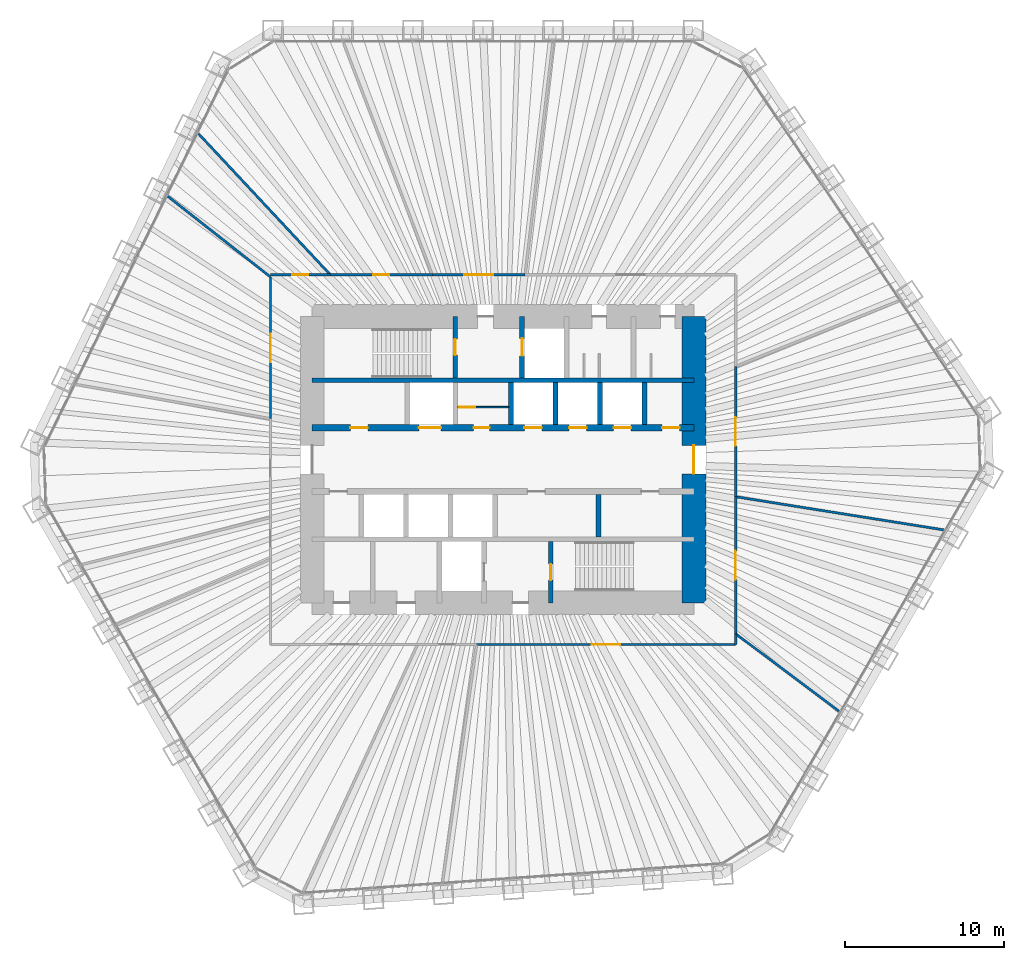
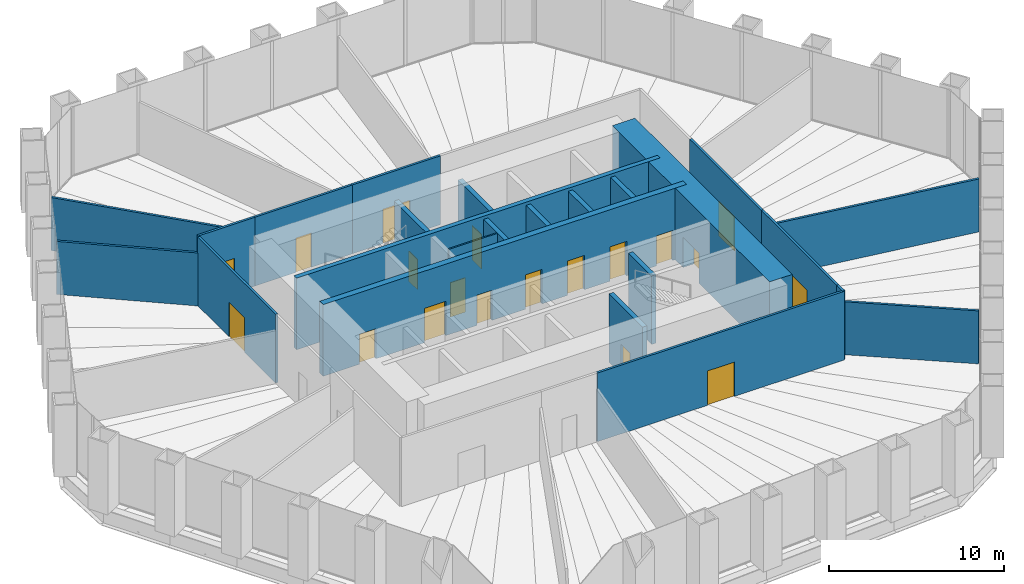
# One storey, part 11 of 13: 24 walls, 19 doors, 19 openings.
"""IFC4 building model written with IfcOpenShell, lengths in metres."""

from ifc_helpers import new_model, si_unit, direction, frame, frame_2d, origin, place, context, subcontext, project, spatial, rectangle, extrude, material, layer, layer_set, type_object, element, fill, save


model = new_model("IFC4")

# Units and contexts
model_context = context("Model", 3, precision=1e-05, world=origin(), true_north=direction((0.0, 1.0)))
body_context = subcontext(model_context, "Body", "Model", "MODEL_VIEW")
ifc_project = project(units=[si_unit("LENGTHUNIT", "METRE"), si_unit("AREAUNIT", "SQUARE_METRE"), si_unit("VOLUMEUNIT", "CUBIC_METRE"), si_unit("PLANEANGLEUNIT", "RADIAN"), si_unit("MASSUNIT", "GRAM", prefix="KILO")], contexts=[model_context])

# Site, building, storey
site_placement = place(None, origin())
site = spatial("IfcSite", under=ifc_project, at=site_placement, CompositionType="ELEMENT")
building_placement = place(site_placement, origin())
building = spatial("IfcBuilding", under=site, at=building_placement, Name="Qingtian Harvest Tower", CompositionType="ELEMENT")
storey_placement = place(building_placement, frame((0.0, 0.0, 37.0)))
storey = spatial("IfcBuildingStorey", under=building, at=storey_placement, Name="L07", CompositionType="ELEMENT", Elevation=37.0)

# Wall
ifc_material_1 = material(Name="Concrete fc' 70 MPa", Category="concrete")
ifc_layer_1 = layer(ifc_material_1, 0.300048828125)
ifc_layer_set_1 = layer_set([ifc_layer_1], Name="Core inner wall RC5 300")
wall_type_1 = type_object("IfcWallType", Name="Core inner wall RC5 300", PredefinedType="SHEAR", material=ifc_layer_set_1)
wall_1_placement = place(storey_placement, frame((-12.0, 5.0, 0.0), z_axis=(0.0, 0.0, 1.0), x_axis=(1.0, 0.0, 0.0)))
element("IfcWall", 1, at=wall_1_placement, inside=storey, type_object=wall_type_1, Name="Core wall IN5 L07", PredefinedType="SHEAR", context=body_context, shape_type="SweptSolid", body=[
    extrude(rectangle(XDim=24.0, YDim=0.300048828125, at=frame_2d((12.0, 0.0))), origin(), (0.0, 0.0, 1.0), 5.0),
])

# Wall, openings, doors
ifc_material_2 = material(Name="Concrete fc' 70 MPa", Category="concrete")
ifc_layer_2 = layer(ifc_material_2, 0.39990234375)
ifc_layer_set_2 = layer_set([ifc_layer_2], Name="Core inner web RC6 400")
wall_type_2 = type_object("IfcWallType", Name="Core inner web RC6 400", PredefinedType="SHEAR", material=ifc_layer_set_2)
wall_2_placement = place(storey_placement, frame((-12.0, 2.0, 0.0), z_axis=(0.0, 0.0, 1.0), x_axis=(1.0, 0.0, 0.0)))
wall_2 = element("IfcWall", 2, at=wall_2_placement, inside=storey, type_object=wall_type_2, Name="Core wall IN2 L07", PredefinedType="SHEAR", context=body_context, shape_type="SweptSolid", body=[
    extrude(rectangle(XDim=24.0, YDim=0.39990234375, at=frame_2d((12.0, 0.0))), origin(), (0.0, 0.0, 1.0), 5.0),
])
opening_1_placement = place(wall_2_placement, frame((2.39990234375, 0.0, 0.0)))
opening_1 = element("IfcOpeningElement", 3, at=opening_1_placement, cuts=wall_2, Name="Opening FD4", PredefinedType="OPENING", context=body_context, shape_type="SweptSolid", body=[
    extrude(rectangle(XDim=1.10009765625, YDim=2.10009765625, at=frame_2d((0.550048828125, 1.050048828125))), frame((0.0, 0.2099609375, 0.0), z_axis=(0.0, -1.0, 0.0), x_axis=(1.0, 0.0, 0.0)), (0.0, 0.0, 1.0), 0.419921875),
])
opening_2_placement = place(wall_2_placement, frame((22.0, 0.0, 0.0)))
opening_2 = element("IfcOpeningElement", 4, at=opening_2_placement, cuts=wall_2, Name="Opening FD4", PredefinedType="OPENING", context=body_context, shape_type="SweptSolid", body=[
    extrude(rectangle(XDim=1.10009765625, YDim=2.10009765625, at=frame_2d((0.550048828125, 1.050048828125))), frame((0.0, 0.2099609375, 0.0), z_axis=(0.0, -1.0, 0.0), x_axis=(1.0, 0.0, 0.0)), (0.0, 0.0, 1.0), 0.419921875),
])
opening_3_placement = place(wall_2_placement, frame((10.14990234375, 0.0, 0.0)))
opening_3 = element("IfcOpeningElement", 5, at=opening_3_placement, cuts=wall_2, Name="Opening FD1", PredefinedType="OPENING", context=body_context, shape_type="SweptSolid", body=[
    extrude(rectangle(XDim=1.0, YDim=2.10009765625, at=frame_2d((0.5, 1.050048828125))), frame((0.0, 0.2099609375, 0.0), z_axis=(0.0, -1.0, 0.0), x_axis=(1.0, 0.0, 0.0)), (0.0, 0.0, 1.0), 0.419921875),
])
opening_4_placement = place(wall_2_placement, frame((6.699951171875, 0.0, 0.0)))
opening_4 = element("IfcOpeningElement", 6, at=opening_4_placement, cuts=wall_2, Name="Opening LD2", PredefinedType="OPENING", context=body_context, shape_type="SweptSolid", body=[
    extrude(rectangle(XDim=1.39990234375, YDim=2.39990234375, at=frame_2d((0.699951171875, 1.199951171875))), frame((0.0, 0.2099609375, 0.0), z_axis=(0.0, -1.0, 0.0), x_axis=(1.0, 0.0, 0.0)), (0.0, 0.0, 1.0), 0.419921875),
])
opening_5_placement = place(wall_2_placement, frame((13.35009765625, 0.0, 0.0)))
opening_5 = element("IfcOpeningElement", 7, at=opening_5_placement, cuts=wall_2, Name="Opening LD1", PredefinedType="OPENING", context=body_context, shape_type="SweptSolid", body=[
    extrude(rectangle(XDim=1.10009765625, YDim=2.39990234375, at=frame_2d((0.550048828125, 1.199951171875))), frame((0.0, 0.2099609375, 0.0), z_axis=(0.0, -1.0, 0.0), x_axis=(1.0, 0.0, 0.0)), (0.0, 0.0, 1.0), 0.419921875),
])
opening_6_placement = place(wall_2_placement, frame((16.14990234375, 0.0, 0.0)))
opening_6 = element("IfcOpeningElement", 8, at=opening_6_placement, cuts=wall_2, Name="Opening LD1", PredefinedType="OPENING", context=body_context, shape_type="SweptSolid", body=[
    extrude(rectangle(XDim=1.10009765625, YDim=2.39990234375, at=frame_2d((0.550048828125, 1.199951171875))), frame((0.0, 0.2099609375, 0.0), z_axis=(0.0, -1.0, 0.0), x_axis=(1.0, 0.0, 0.0)), (0.0, 0.0, 1.0), 0.419921875),
])
opening_7_placement = place(wall_2_placement, frame((18.949951171875, 0.0, 0.0)))
opening_7 = element("IfcOpeningElement", 9, at=opening_7_placement, cuts=wall_2, Name="Opening LD1", PredefinedType="OPENING", context=body_context, shape_type="SweptSolid", body=[
    extrude(rectangle(XDim=1.10009765625, YDim=2.39990234375, at=frame_2d((0.550048828125, 1.199951171875))), frame((0.0, 0.2099609375, 0.0), z_axis=(0.0, -1.0, 0.0), x_axis=(1.0, 0.0, 0.0)), (0.0, 0.0, 1.0), 0.419921875),
])
ifc_material_3 = material(Name="Steel-faced door leaf", Category="steel")
door_type_1 = type_object("IfcDoorType", Name="Fire door FD1 single 1 HR", OperationType="SINGLE_SWING_LEFT", PredefinedType="DOOR", material=ifc_material_3)
door_1_placement = place(opening_3_placement, origin())
door_1 = element("IfcDoor", 10, at=door_1_placement, inside=storey, type_object=door_type_1, Name="STA door L07", OperationType="SINGLE_SWING_LEFT", OverallHeight=2.10009765625, OverallWidth=1.0, PredefinedType="DOOR", context=body_context, shape_type="SweptSolid", body=[
    extrude(rectangle(XDim=1.0, YDim=2.10009765625, at=frame_2d((0.5, 1.050048828125))), frame((0.0, 0.02490234375, 0.0), z_axis=(0.0, -1.0, 0.0), x_axis=(1.0, 0.0, 0.0)), (0.0, 0.0, 1.0), 0.050048828125),
])
fill(opening_3, door_1)
ifc_material_4 = material(Name="Steel-faced door leaf", Category="steel")
door_type_2 = type_object("IfcDoorType", Name="Fire door FD4 single 2 HR", OperationType="SINGLE_SWING_LEFT", PredefinedType="DOOR", material=ifc_material_4)
door_2_placement = place(opening_1_placement, origin())
door_2 = element("IfcDoor", 11, at=door_2_placement, inside=storey, type_object=door_type_2, Name="RA door L07", OperationType="SINGLE_SWING_RIGHT", OverallHeight=2.10009765625, OverallWidth=1.10009765625, PredefinedType="DOOR", context=body_context, shape_type="SweptSolid", body=[
    extrude(rectangle(XDim=1.10009765625, YDim=2.10009765625, at=frame_2d((0.550048828125, 1.050048828125))), frame((0.0, 0.02490234375, 0.0), z_axis=(0.0, -1.0, 0.0), x_axis=(1.0, 0.0, 0.0)), (0.0, 0.0, 1.0), 0.050048828125),
])
fill(opening_1, door_2)
door_3_placement = place(opening_2_placement, origin())
door_3 = element("IfcDoor", 12, at=door_3_placement, inside=storey, type_object=door_type_2, Name="AHU door L07", OperationType="SINGLE_SWING_RIGHT", OverallHeight=2.10009765625, OverallWidth=1.10009765625, PredefinedType="DOOR", context=body_context, shape_type="SweptSolid", body=[
    extrude(rectangle(XDim=1.10009765625, YDim=2.10009765625, at=frame_2d((0.550048828125, 1.050048828125))), frame((0.0, 0.02490234375, 0.0), z_axis=(0.0, -1.0, 0.0), x_axis=(1.0, 0.0, 0.0)), (0.0, 0.0, 1.0), 0.050048828125),
])
fill(opening_2, door_3)
ifc_material_5 = material(Name="Stainless steel lift landing door", Category="steel")
door_type_3 = type_object("IfcDoorType", Name="Goods lift landing door LD2 1 HR", OperationType="DOUBLE_DOOR_SLIDING", PredefinedType="DOOR", material=ifc_material_5)
door_4_placement = place(opening_4_placement, origin())
door_4 = element("IfcDoor", 13, at=door_4_placement, inside=storey, type_object=door_type_3, Name="GL1 landing door L07", OperationType="DOUBLE_DOOR_SLIDING", OverallHeight=2.39990234375, OverallWidth=1.39990234375, PredefinedType="DOOR", context=body_context, shape_type="SweptSolid", body=[
    extrude(rectangle(XDim=1.39990234375, YDim=2.39990234375, at=frame_2d((0.699951171875, 1.199951171875))), frame((0.0, 0.02490234375, 0.0), z_axis=(0.0, -1.0, 0.0), x_axis=(1.0, 0.0, 0.0)), (0.0, 0.0, 1.0), 0.050048828125),
])
fill(opening_4, door_4)
ifc_material_6 = material(Name="Stainless steel lift landing door", Category="steel")
door_type_4 = type_object("IfcDoorType", Name="Lift landing door LD1 1 HR", OperationType="DOUBLE_DOOR_SLIDING", PredefinedType="DOOR", material=ifc_material_6)
door_5_placement = place(opening_5_placement, origin())
door_5 = element("IfcDoor", 14, at=door_5_placement, inside=storey, type_object=door_type_4, Name="PLA1 landing door L07", OperationType="DOUBLE_DOOR_SLIDING", OverallHeight=2.39990234375, OverallWidth=1.10009765625, PredefinedType="DOOR", context=body_context, shape_type="SweptSolid", body=[
    extrude(rectangle(XDim=1.10009765625, YDim=2.39990234375, at=frame_2d((0.550048828125, 1.199951171875))), frame((0.0, 0.02490234375, 0.0), z_axis=(0.0, -1.0, 0.0), x_axis=(1.0, 0.0, 0.0)), (0.0, 0.0, 1.0), 0.050048828125),
])
fill(opening_5, door_5)
door_6_placement = place(opening_6_placement, origin())
door_6 = element("IfcDoor", 15, at=door_6_placement, inside=storey, type_object=door_type_4, Name="PLA2 landing door L07", OperationType="DOUBLE_DOOR_SLIDING", OverallHeight=2.39990234375, OverallWidth=1.10009765625, PredefinedType="DOOR", context=body_context, shape_type="SweptSolid", body=[
    extrude(rectangle(XDim=1.10009765625, YDim=2.39990234375, at=frame_2d((0.550048828125, 1.199951171875))), frame((0.0, 0.02490234375, 0.0), z_axis=(0.0, -1.0, 0.0), x_axis=(1.0, 0.0, 0.0)), (0.0, 0.0, 1.0), 0.050048828125),
])
fill(opening_6, door_6)
door_7_placement = place(opening_7_placement, origin())
door_7 = element("IfcDoor", 16, at=door_7_placement, inside=storey, type_object=door_type_4, Name="PLA3 landing door L07", OperationType="DOUBLE_DOOR_SLIDING", OverallHeight=2.39990234375, OverallWidth=1.10009765625, PredefinedType="DOOR", context=body_context, shape_type="SweptSolid", body=[
    extrude(rectangle(XDim=1.10009765625, YDim=2.39990234375, at=frame_2d((0.550048828125, 1.199951171875))), frame((0.0, 0.02490234375, 0.0), z_axis=(0.0, -1.0, 0.0), x_axis=(1.0, 0.0, 0.0)), (0.0, 0.0, 1.0), 0.050048828125),
])
fill(opening_7, door_7)

# Wall, opening, door
ifc_material_7 = material(Name="Precast concrete shaft panel", Category="concrete")
ifc_layer_3 = layer(ifc_material_7, 0.300048828125)
ifc_layer_set_3 = layer_set([ifc_layer_3], Name="Core shaft partition SW1 300")
wall_type_3 = type_object("IfcWallType", Name="Core shaft partition SW1 300", PredefinedType="PARTITIONING", material=ifc_layer_set_3)
wall_3_placement = place(storey_placement, frame((-3.0, 5.14990234375, 0.0), z_axis=(0.0, 0.0, 1.0), x_axis=(0.0, 1.0, 0.0)))
wall_3 = element("IfcWall", 17, at=wall_3_placement, inside=storey, type_object=wall_type_3, Name="Core shaft partition XN1 L07", PredefinedType="PARTITIONING", context=body_context, shape_type="SweptSolid", body=[
    extrude(rectangle(XDim=3.85009765625, YDim=0.300048828125, at=frame_2d((1.925048828125, 0.0))), origin(), (0.0, 0.0, 1.0), 4.780029296875),
])
opening_8_placement = place(wall_3_placement, frame((1.425048828125, 0.0, 0.0)))
opening_8 = element("IfcOpeningElement", 18, at=opening_8_placement, cuts=wall_3, Name="Opening FD1", PredefinedType="OPENING", context=body_context, shape_type="SweptSolid", body=[
    extrude(rectangle(XDim=1.0, YDim=2.10009765625, at=frame_2d((0.5, 1.050048828125))), frame((0.0, 0.159912109375, 0.0), z_axis=(0.0, -1.0, 0.0), x_axis=(1.0, 0.0, 0.0)), (0.0, 0.0, 1.0), 0.320068359375),
])
door_8_placement = place(opening_8_placement, origin())
door_8 = element("IfcDoor", 19, at=door_8_placement, inside=storey, type_object=door_type_1, Name="S1 door L07", OperationType="SINGLE_SWING_RIGHT", OverallHeight=2.10009765625, OverallWidth=1.0, PredefinedType="DOOR", context=body_context, shape_type="SweptSolid", body=[
    extrude(rectangle(XDim=1.0, YDim=2.10009765625, at=frame_2d((0.5, 1.050048828125))), frame((0.0, 0.02490234375, 0.0), z_axis=(0.0, -1.0, 0.0), x_axis=(1.0, 0.0, 0.0)), (0.0, 0.0, 1.0), 0.050048828125),
])
fill(opening_8, door_8)

wall_4_placement = place(storey_placement, frame((1.199951171875, 5.14990234375, 0.0), z_axis=(0.0, 0.0, 1.0), x_axis=(0.0, 1.0, 0.0)))
wall_4 = element("IfcWall", 20, at=wall_4_placement, inside=storey, type_object=wall_type_3, Name="Core shaft partition XN2 L07", PredefinedType="PARTITIONING", context=body_context, shape_type="SweptSolid", body=[
    extrude(rectangle(XDim=3.85009765625, YDim=0.300048828125, at=frame_2d((1.925048828125, 0.0))), origin(), (0.0, 0.0, 1.0), 4.780029296875),
])
opening_9_placement = place(wall_4_placement, frame((1.375, 0.0, 0.0)))
opening_9 = element("IfcOpeningElement", 21, at=opening_9_placement, cuts=wall_4, Name="Opening LD1", PredefinedType="OPENING", context=body_context, shape_type="SweptSolid", body=[
    extrude(rectangle(XDim=1.10009765625, YDim=2.39990234375, at=frame_2d((0.550048828125, 1.199951171875))), frame((0.0, 0.159912109375, 0.0), z_axis=(0.0, -1.0, 0.0), x_axis=(1.0, 0.0, 0.0)), (0.0, 0.0, 1.0), 0.320068359375),
])
door_9_placement = place(opening_9_placement, origin())
door_9 = element("IfcDoor", 22, at=door_9_placement, inside=storey, type_object=door_type_4, Name="FL1 landing door L07", OperationType="DOUBLE_DOOR_SLIDING", OverallHeight=2.39990234375, OverallWidth=1.10009765625, PredefinedType="DOOR", context=body_context, shape_type="SweptSolid", body=[
    extrude(rectangle(XDim=1.10009765625, YDim=2.39990234375, at=frame_2d((0.550048828125, 1.199951171875))), frame((0.0, 0.02490234375, 0.0), z_axis=(0.0, -1.0, 0.0), x_axis=(1.0, 0.0, 0.0)), (0.0, 0.0, 1.0), 0.050048828125),
])
fill(opening_9, door_9)

# Walls
for number, where, z_axis, x_axis, name in (
    (23, (0.5, 2.199951171875, 0.0), (0.0, 0.0, 1.0), (0.0, 1.0, 0.0), "Core shaft partition XA3 L07"),
    (24, (3.300048828125, 2.199951171875, 0.0), (0.0, 0.0, 1.0), (0.0, 1.0, 0.0), "Core shaft partition XA4 L07"),
    (25, (6.10009765625, 2.199951171875, 0.0), (0.0, 0.0, 1.0), (0.0, 1.0, 0.0), "Core shaft partition XA5 L07"),
    (26, (8.89990234375, 2.199951171875, 0.0), (0.0, 0.0, 1.0), (0.0, 1.0, 0.0), "Core shaft partition XA6 L07"),
    (27, (6.0, -4.85009765625, 0.0), (0.0, 0.0, 1.0), (0.0, 1.0, 0.0), "Core shaft partition XB5 L07"),
):
    element("IfcWall", number, at=place(storey_placement, frame(where, z_axis=z_axis, x_axis=x_axis)), inside=storey, type_object=wall_type_3, Name=name, PredefinedType="PARTITIONING", context=body_context, shape_type="SweptSolid", body=[
        extrude(rectangle(XDim=2.650146484375, YDim=0.300048828125, at=frame_2d((1.3251953125, 0.0))), origin(), (0.0, 0.0, 1.0), 4.780029296875),
    ])

# Wall, opening, door
wall_5_placement = place(storey_placement, frame((3.0, -9.0, 0.0), z_axis=(0.0, 0.0, 1.0), x_axis=(0.0, 1.0, 0.0)))
wall_5 = element("IfcWall", 28, at=wall_5_placement, inside=storey, type_object=wall_type_3, Name="Core shaft partition XS4 L07", PredefinedType="PARTITIONING", context=body_context, shape_type="SweptSolid", body=[
    extrude(rectangle(XDim=3.85009765625, YDim=0.300048828125, at=frame_2d((1.925048828125, 0.0))), origin(), (0.0, 0.0, 1.0), 4.780029296875),
])
opening_10_placement = place(wall_5_placement, frame((1.425048828125, 0.0, 0.0)))
opening_10 = element("IfcOpeningElement", 29, at=opening_10_placement, cuts=wall_5, Name="Opening FD1", PredefinedType="OPENING", context=body_context, shape_type="SweptSolid", body=[
    extrude(rectangle(XDim=1.0, YDim=2.10009765625, at=frame_2d((0.5, 1.050048828125))), frame((0.0, 0.159912109375, 0.0), z_axis=(0.0, -1.0, 0.0), x_axis=(1.0, 0.0, 0.0)), (0.0, 0.0, 1.0), 0.320068359375),
])
door_10_placement = place(opening_10_placement, origin())
door_10 = element("IfcDoor", 30, at=door_10_placement, inside=storey, type_object=door_type_1, Name="S2 door L07", OperationType="SINGLE_SWING_LEFT", OverallHeight=2.10009765625, OverallWidth=1.0, PredefinedType="DOOR", context=body_context, shape_type="SweptSolid", body=[
    extrude(rectangle(XDim=1.0, YDim=2.10009765625, at=frame_2d((0.5, 1.050048828125))), frame((0.0, 0.02490234375, 0.0), z_axis=(0.0, -1.0, 0.0), x_axis=(1.0, 0.0, 0.0)), (0.0, 0.0, 1.0), 0.050048828125),
])
fill(opening_10, door_10)

ifc_material_8 = material(Name="Concrete fc' 70 MPa", Category="concrete")
ifc_layer_4 = layer(ifc_material_8, 1.5)
ifc_layer_set_4 = layer_set([ifc_layer_4], Name="Core wall RC1 1500")
wall_type_4 = type_object("IfcWallType", Name="Core wall RC1 1500", PredefinedType="SHEAR", material=ifc_layer_set_4)
wall_6_placement = place(storey_placement, frame((12.0, -9.0, 0.0), z_axis=(0.0, 0.0, 1.0), x_axis=(0.0, 1.0, 0.0)))
wall_6 = element("IfcWall", 31, at=wall_6_placement, inside=storey, type_object=wall_type_4, Name="Core wall CE L07", PredefinedType="SHEAR", context=body_context, shape_type="SweptSolid", body=[
    extrude(rectangle(XDim=18.0, YDim=1.5, at=frame_2d((9.0, 0.0))), origin(), (0.0, 0.0, 1.0), 5.0),
])
opening_11_placement = place(wall_6_placement, frame((8.10009765625, 0.0, 0.0)))
opening_11 = element("IfcOpeningElement", 32, at=opening_11_placement, cuts=wall_6, Name="Opening FD2", PredefinedType="OPENING", context=body_context, shape_type="SweptSolid", body=[
    extrude(rectangle(XDim=1.800048828125, YDim=2.10009765625, at=frame_2d((0.89990234375, 1.050048828125))), frame((0.0, 0.760009765625, 0.0), z_axis=(0.0, -1.0, 0.0), x_axis=(1.0, 0.0, 0.0)), (0.0, 0.0, 1.0), 1.52001953125),
])
ifc_material_9 = material(Name="Steel-faced door leaf", Category="steel")
door_type_5 = type_object("IfcDoorType", Name="Fire door FD2 double 1 HR", OperationType="DOUBLE_DOOR_DOUBLE_SWING", PredefinedType="DOOR", material=ifc_material_9)
door_11_placement = place(opening_11_placement, origin())
door_11 = element("IfcDoor", 33, at=door_11_placement, inside=storey, type_object=door_type_5, Name="LOBBY-E door L07", OperationType="DOUBLE_DOOR_DOUBLE_SWING", OverallHeight=2.10009765625, OverallWidth=1.800048828125, PredefinedType="DOOR", context=body_context, shape_type="SweptSolid", body=[
    extrude(rectangle(XDim=1.800048828125, YDim=2.10009765625, at=frame_2d((0.89990234375, 1.050048828125))), frame((0.0, 0.02490234375, 0.0), z_axis=(0.0, -1.0, 0.0), x_axis=(1.0, 0.0, 0.0)), (0.0, 0.0, 1.0), 0.050048828125),
])
fill(opening_11, door_11)

ifc_material_10 = material(Name="Gypsum board on steel studs", Category="steel")
ifc_layer_5 = layer(ifc_material_10, 0.14990234375)
ifc_layer_set_5 = layer_set([ifc_layer_5], Name="Partition PT1 150")
wall_type_5 = type_object("IfcWallType", Name="Partition PT1 150", PredefinedType="PARTITIONING", material=ifc_layer_set_5)
wall_7_placement = place(storey_placement, frame((14.625, 5.8642578125, 0.0), z_axis=(0.0, 0.0, 1.0), x_axis=(0.0, -1.0, 0.0)))
wall_7 = element("IfcWall", 34, at=wall_7_placement, inside=storey, type_object=wall_type_5, Name="Leafy greens growing room wall L07", PredefinedType="PARTITIONING", context=body_context, shape_type="SweptSolid", body=[
    extrude(rectangle(XDim=8.19482421875, YDim=0.14990234375, at=frame_2d((4.097412109375, 0.0))), origin(), (0.0, 0.0, 1.0), 4.800048828125),
])
opening_12_placement = place(wall_7_placement, frame((3.197509765625, 0.0, 0.0)))
opening_12 = element("IfcOpeningElement", 35, at=opening_12_placement, cuts=wall_7, Name="Opening D3", PredefinedType="OPENING", context=body_context, shape_type="SweptSolid", body=[
    extrude(rectangle(XDim=1.800048828125, YDim=2.39990234375, at=frame_2d((0.89990234375, 1.199951171875))), frame((0.0, 0.0849609375, 0.0), z_axis=(0.0, -1.0, 0.0), x_axis=(1.0, 0.0, 0.0)), (0.0, 0.0, 1.0), 0.169921875),
])
ifc_material_11 = material(Name="Laminated timber door leaf", Category="wood")
door_type_6 = type_object("IfcDoorType", Name="Room door D3 double", OperationType="DOUBLE_DOOR_DOUBLE_SWING", PredefinedType="DOOR", material=ifc_material_11)
door_12_placement = place(opening_12_placement, origin())
door_12 = element("IfcDoor", 36, at=door_12_placement, inside=storey, type_object=door_type_6, Name="Leafy greens growing room door L07", OperationType="DOUBLE_DOOR_DOUBLE_SWING", OverallHeight=2.39990234375, OverallWidth=1.800048828125, PredefinedType="DOOR", context=body_context, shape_type="SweptSolid", body=[
    extrude(rectangle(XDim=1.800048828125, YDim=2.39990234375, at=frame_2d((0.89990234375, 1.199951171875))), frame((0.0, 0.02490234375, 0.0), z_axis=(0.0, -1.0, 0.0), x_axis=(1.0, 0.0, 0.0)), (0.0, 0.0, 1.0), 0.050048828125),
])
fill(opening_12, door_12)

# Wall
wall_8_placement = place(storey_placement, frame((27.711181640625, -4.416015625, 0.0), z_axis=(0.0, 0.0, 1.0), x_axis=(-0.987538625309, 0.15737682016, 0.0)))
element("IfcWall", 37, at=wall_8_placement, inside=storey, type_object=wall_type_5, Name="Leafy greens growing room wall L07", PredefinedType="PARTITIONING", context=body_context, shape_type="SweptSolid", body=[
    extrude(rectangle(XDim=13.251220703125, YDim=0.14990234375, at=frame_2d((6.62548828125, 0.0))), origin(), (0.0, 0.0, 1.0), 3.699951171875),
])

# Wall, opening, door
wall_9_placement = place(storey_placement, frame((14.625, -2.33056640625, 0.0), z_axis=(0.0, 0.0, 1.0), x_axis=(0.0, -1.0, 0.0)))
wall_9 = element("IfcWall", 38, at=wall_9_placement, inside=storey, type_object=wall_type_5, Name="Leafy greens growing room wall L07", PredefinedType="PARTITIONING", context=body_context, shape_type="SweptSolid", body=[
    extrude(rectangle(XDim=8.61962890625, YDim=0.14990234375, at=frame_2d((4.309814453125, 0.0))), origin(), (0.0, 0.0, 1.0), 4.800048828125),
])
opening_13_placement = place(wall_9_placement, frame((3.40966796875, 0.0, 0.0)))
opening_13 = element("IfcOpeningElement", 39, at=opening_13_placement, cuts=wall_9, Name="Opening D3", PredefinedType="OPENING", context=body_context, shape_type="SweptSolid", body=[
    extrude(rectangle(XDim=1.800048828125, YDim=2.39990234375, at=frame_2d((0.89990234375, 1.199951171875))), frame((0.0, 0.0849609375, 0.0), z_axis=(0.0, -1.0, 0.0), x_axis=(1.0, 0.0, 0.0)), (0.0, 0.0, 1.0), 0.169921875),
])
door_13_placement = place(opening_13_placement, origin())
door_13 = element("IfcDoor", 40, at=door_13_placement, inside=storey, type_object=door_type_6, Name="Leafy greens growing room door L07", OperationType="DOUBLE_DOOR_DOUBLE_SWING", OverallHeight=2.39990234375, OverallWidth=1.800048828125, PredefinedType="DOOR", context=body_context, shape_type="SweptSolid", body=[
    extrude(rectangle(XDim=1.800048828125, YDim=2.39990234375, at=frame_2d((0.89990234375, 1.199951171875))), frame((0.0, 0.02490234375, 0.0), z_axis=(0.0, -1.0, 0.0), x_axis=(1.0, 0.0, 0.0)), (0.0, 0.0, 1.0), 0.050048828125),
])
fill(opening_13, door_13)

# Walls
wall_10_placement = place(storey_placement, frame((21.123046875, -15.8154296875, 0.0), z_axis=(0.0, 0.0, 1.0), x_axis=(-0.800490565123, 0.599345355492, 0.0)))
element("IfcWall", 41, at=wall_10_placement, inside=storey, type_object=wall_type_5, Name="Lettuce growing room wall L07", PredefinedType="PARTITIONING", context=body_context, shape_type="SweptSolid", body=[
    extrude(rectangle(XDim=8.11767578125, YDim=0.14990234375, at=frame_2d((4.058837890625, 0.0))), origin(), (0.0, 0.0, 1.0), 3.699951171875),
])
wall_11_placement = place(storey_placement, frame((14.625, -10.9501953125, 0.0), z_axis=(0.0, 0.0, 1.0), x_axis=(0.0, -1.0, 0.0)))
element("IfcWall", 42, at=wall_11_placement, inside=storey, type_object=wall_type_5, Name="Lettuce growing room wall L07", PredefinedType="PARTITIONING", context=body_context, shape_type="SweptSolid", body=[
    extrude(rectangle(XDim=0.6748046875, YDim=0.14990234375, at=frame_2d((0.33740234375, 0.0))), origin(), (0.0, 0.0, 1.0), 4.800048828125),
])

# Wall, opening, door
wall_12_placement = place(storey_placement, frame((14.625, -11.625, 0.0), z_axis=(0.0, 0.0, 1.0), x_axis=(-1.0, 0.0, 0.0)))
wall_12 = element("IfcWall", 43, at=wall_12_placement, inside=storey, type_object=wall_type_5, Name="Lettuce growing room wall L07", PredefinedType="PARTITIONING", context=body_context, shape_type="SweptSolid", body=[
    extrude(rectangle(XDim=16.289794921875, YDim=0.14990234375, at=frame_2d((8.14501953125, 0.0))), origin(), (0.0, 0.0, 1.0), 4.800048828125),
])
opening_14_placement = place(wall_12_placement, frame((7.244873046875, 0.0, 0.0)))
opening_14 = element("IfcOpeningElement", 44, at=opening_14_placement, cuts=wall_12, Name="Opening D3", PredefinedType="OPENING", context=body_context, shape_type="SweptSolid", body=[
    extrude(rectangle(XDim=1.800048828125, YDim=2.39990234375, at=frame_2d((0.89990234375, 1.199951171875))), frame((0.0, 0.0849609375, 0.0), z_axis=(0.0, -1.0, 0.0), x_axis=(1.0, 0.0, 0.0)), (0.0, 0.0, 1.0), 0.169921875),
])
door_14_placement = place(opening_14_placement, origin())
door_14 = element("IfcDoor", 45, at=door_14_placement, inside=storey, type_object=door_type_6, Name="Lettuce growing room door L07", OperationType="DOUBLE_DOOR_DOUBLE_SWING", OverallHeight=2.39990234375, OverallWidth=1.800048828125, PredefinedType="DOOR", context=body_context, shape_type="SweptSolid", body=[
    extrude(rectangle(XDim=1.800048828125, YDim=2.39990234375, at=frame_2d((0.89990234375, 1.199951171875))), frame((0.0, 0.02490234375, 0.0), z_axis=(0.0, -1.0, 0.0), x_axis=(1.0, 0.0, 0.0)), (0.0, 0.0, 1.0), 0.050048828125),
])
fill(opening_14, door_14)

wall_13_placement = place(storey_placement, frame((-14.625, 2.573486328125, 0.0), z_axis=(0.0, 0.0, 1.0), x_axis=(0.0, 1.0, 0.0)))
wall_13 = element("IfcWall", 46, at=wall_13_placement, inside=storey, type_object=wall_type_5, Name="Packing room wall L07", PredefinedType="PARTITIONING", context=body_context, shape_type="SweptSolid", body=[
    extrude(rectangle(XDim=8.91455078125, YDim=0.14990234375, at=frame_2d((4.457275390625, 0.0))), origin(), (0.0, 0.0, 1.0), 4.800048828125),
])
opening_15_placement = place(wall_13_placement, frame((3.557373046875, 0.0, 0.0)))
opening_15 = element("IfcOpeningElement", 47, at=opening_15_placement, cuts=wall_13, Name="Opening D3", PredefinedType="OPENING", context=body_context, shape_type="SweptSolid", body=[
    extrude(rectangle(XDim=1.800048828125, YDim=2.39990234375, at=frame_2d((0.89990234375, 1.199951171875))), frame((0.0, 0.0849609375, 0.0), z_axis=(0.0, -1.0, 0.0), x_axis=(1.0, 0.0, 0.0)), (0.0, 0.0, 1.0), 0.169921875),
])
door_15_placement = place(opening_15_placement, origin())
door_15 = element("IfcDoor", 48, at=door_15_placement, inside=storey, type_object=door_type_6, Name="Packing room door L07", OperationType="DOUBLE_DOOR_DOUBLE_SWING", OverallHeight=2.39990234375, OverallWidth=1.800048828125, PredefinedType="DOOR", context=body_context, shape_type="SweptSolid", body=[
    extrude(rectangle(XDim=1.800048828125, YDim=2.39990234375, at=frame_2d((0.89990234375, 1.199951171875))), frame((0.0, 0.02490234375, 0.0), z_axis=(0.0, -1.0, 0.0), x_axis=(1.0, 0.0, 0.0)), (0.0, 0.0, 1.0), 0.050048828125),
])
fill(opening_15, door_15)

# Wall
wall_14_placement = place(storey_placement, frame((-21.077392578125, 16.556640625, 0.0), z_axis=(0.0, 0.0, 1.0), x_axis=(0.786385446389, -0.617736132752, 0.0)))
element("IfcWall", 49, at=wall_14_placement, inside=storey, type_object=wall_type_5, Name="Quality lab wall L07", PredefinedType="PARTITIONING", context=body_context, shape_type="SweptSolid", body=[
    extrude(rectangle(XDim=8.205078125, YDim=0.14990234375, at=frame_2d((4.1025390625, 0.0))), origin(), (0.0, 0.0, 1.0), 3.699951171875),
])

# Wall, opening, door
wall_15_placement = place(storey_placement, frame((-14.625, 11.625, 0.0), z_axis=(0.0, 0.0, 1.0), x_axis=(1.0, 0.0, 0.0)))
wall_15 = element("IfcWall", 50, at=wall_15_placement, inside=storey, type_object=wall_type_5, Name="Quality lab wall L07", PredefinedType="PARTITIONING", context=body_context, shape_type="SweptSolid", body=[
    extrude(rectangle(XDim=3.763671875, YDim=0.14990234375, at=frame_2d((1.8818359375, 0.0))), origin(), (0.0, 0.0, 1.0), 4.800048828125),
])
opening_16_placement = place(wall_15_placement, frame((1.3818359375, 0.0, 0.0)))
opening_16 = element("IfcOpeningElement", 51, at=opening_16_placement, cuts=wall_15, Name="Opening D2", PredefinedType="OPENING", context=body_context, shape_type="SweptSolid", body=[
    extrude(rectangle(XDim=1.0, YDim=2.39990234375, at=frame_2d((0.5, 1.199951171875))), frame((0.0, 0.0849609375, 0.0), z_axis=(0.0, -1.0, 0.0), x_axis=(1.0, 0.0, 0.0)), (0.0, 0.0, 1.0), 0.169921875),
])
ifc_material_12 = material(Name="Laminated timber door leaf", Category="wood")
door_type_7 = type_object("IfcDoorType", Name="Room door D2 single", OperationType="SINGLE_SWING_LEFT", PredefinedType="DOOR", material=ifc_material_12)
door_16_placement = place(opening_16_placement, origin())
door_16 = element("IfcDoor", 52, at=door_16_placement, inside=storey, type_object=door_type_7, Name="Quality lab door L07", OperationType="SINGLE_SWING_RIGHT", OverallHeight=2.39990234375, OverallWidth=1.0, PredefinedType="DOOR", context=body_context, shape_type="SweptSolid", body=[
    extrude(rectangle(XDim=1.0, YDim=2.39990234375, at=frame_2d((0.5, 1.199951171875))), frame((0.0, 0.02490234375, 0.0), z_axis=(0.0, -1.0, 0.0), x_axis=(1.0, 0.0, 0.0)), (0.0, 0.0, 1.0), 0.050048828125),
])
fill(opening_16, door_16)

# Wall
wall_16_placement = place(storey_placement, frame((-19.156982421875, 20.504150390625, 0.0), z_axis=(0.0, 0.0, 1.0), x_axis=(0.682689688298, -0.73070841619, 0.0)))
element("IfcWall", 53, at=wall_16_placement, inside=storey, type_object=wall_type_5, Name="Harvest wash room wall L07", PredefinedType="PARTITIONING", context=body_context, shape_type="SweptSolid", body=[
    extrude(rectangle(XDim=12.1513671875, YDim=0.14990234375, at=frame_2d((6.07568359375, 0.0))), origin(), (0.0, 0.0, 1.0), 3.699951171875),
])

# Wall, opening, door
wall_17_placement = place(storey_placement, frame((-10.861328125, 11.625, 0.0), z_axis=(0.0, 0.0, 1.0), x_axis=(1.0, 0.0, 0.0)))
wall_17 = element("IfcWall", 54, at=wall_17_placement, inside=storey, type_object=wall_type_5, Name="Harvest wash room wall L07", PredefinedType="PARTITIONING", context=body_context, shape_type="SweptSolid", body=[
    extrude(rectangle(XDim=6.41162109375, YDim=0.14990234375, at=frame_2d((3.205810546875, 0.0))), origin(), (0.0, 0.0, 1.0), 4.800048828125),
])
opening_17_placement = place(wall_17_placement, frame((2.705810546875, 0.0, 0.0)))
opening_17 = element("IfcOpeningElement", 55, at=opening_17_placement, cuts=wall_17, Name="Opening D2", PredefinedType="OPENING", context=body_context, shape_type="SweptSolid", body=[
    extrude(rectangle(XDim=1.0, YDim=2.39990234375, at=frame_2d((0.5, 1.199951171875))), frame((0.0, 0.0849609375, 0.0), z_axis=(0.0, -1.0, 0.0), x_axis=(1.0, 0.0, 0.0)), (0.0, 0.0, 1.0), 0.169921875),
])
door_17_placement = place(opening_17_placement, origin())
door_17 = element("IfcDoor", 56, at=door_17_placement, inside=storey, type_object=door_type_7, Name="Harvest wash room door L07", OperationType="SINGLE_SWING_RIGHT", OverallHeight=2.39990234375, OverallWidth=1.0, PredefinedType="DOOR", context=body_context, shape_type="SweptSolid", body=[
    extrude(rectangle(XDim=1.0, YDim=2.39990234375, at=frame_2d((0.5, 1.199951171875))), frame((0.0, 0.02490234375, 0.0), z_axis=(0.0, -1.0, 0.0), x_axis=(1.0, 0.0, 0.0)), (0.0, 0.0, 1.0), 0.050048828125),
])
fill(opening_17, door_17)

wall_18_placement = place(storey_placement, frame((-4.44970703125, 11.625, 0.0), z_axis=(0.0, 0.0, 1.0), x_axis=(1.0, 0.0, 0.0)))
wall_18 = element("IfcWall", 57, at=wall_18_placement, inside=storey, type_object=wall_type_5, Name="Leafy greens growing room wall L07", PredefinedType="PARTITIONING", context=body_context, shape_type="SweptSolid", body=[
    extrude(rectangle(XDim=5.8408203125, YDim=0.14990234375, at=frame_2d((2.92041015625, 0.0))), origin(), (0.0, 0.0, 1.0), 4.800048828125),
])
opening_18_placement = place(wall_18_placement, frame((2.020263671875, 0.0, 0.0)))
opening_18 = element("IfcOpeningElement", 58, at=opening_18_placement, cuts=wall_18, Name="Opening D3", PredefinedType="OPENING", context=body_context, shape_type="SweptSolid", body=[
    extrude(rectangle(XDim=1.800048828125, YDim=2.39990234375, at=frame_2d((0.89990234375, 1.199951171875))), frame((0.0, 0.0849609375, 0.0), z_axis=(0.0, -1.0, 0.0), x_axis=(1.0, 0.0, 0.0)), (0.0, 0.0, 1.0), 0.169921875),
])
door_18_placement = place(opening_18_placement, origin())
door_18 = element("IfcDoor", 59, at=door_18_placement, inside=storey, type_object=door_type_6, Name="Leafy greens growing room door L07", OperationType="DOUBLE_DOOR_DOUBLE_SWING", OverallHeight=2.39990234375, OverallWidth=1.800048828125, PredefinedType="DOOR", context=body_context, shape_type="SweptSolid", body=[
    extrude(rectangle(XDim=1.800048828125, YDim=2.39990234375, at=frame_2d((0.89990234375, 1.199951171875))), frame((0.0, 0.02490234375, 0.0), z_axis=(0.0, -1.0, 0.0), x_axis=(1.0, 0.0, 0.0)), (0.0, 0.0, 1.0), 0.050048828125),
])
fill(opening_18, door_18)

ifc_material_13 = material(Name="Concrete block partition", Category="concrete")
ifc_layer_6 = layer(ifc_material_13, 0.10009765625)
ifc_layer_set_6 = layer_set([ifc_layer_6], Name="Store partition PT3 100")
wall_type_6 = type_object("IfcWallType", Name="Store partition PT3 100", PredefinedType="PARTITIONING", material=ifc_layer_set_6)
wall_19_placement = place(storey_placement, frame((-2.85009765625, 3.300048828125, 0.0), z_axis=(0.0, 0.0, 1.0), x_axis=(1.0, 0.0, 0.0)))
wall_19 = element("IfcWall", 60, at=wall_19_placement, inside=storey, type_object=wall_type_6, Name="Tool store wall L07", PredefinedType="PARTITIONING", context=body_context, shape_type="SweptSolid", body=[
    extrude(rectangle(XDim=3.2001953125, YDim=0.10009765625, at=frame_2d((1.60009765625, 0.0))), origin(), (0.0, 0.0, 1.0), 4.780029296875),
])
opening_19_placement = place(wall_19_placement, frame((0.10009765625, 0.0, 0.0)))
opening_19 = element("IfcOpeningElement", 61, at=opening_19_placement, cuts=wall_19, Name="Opening D2", PredefinedType="OPENING", context=body_context, shape_type="SweptSolid", body=[
    extrude(rectangle(XDim=1.0, YDim=2.39990234375, at=frame_2d((0.5, 1.199951171875))), frame((0.0, 0.06005859375, 0.0), z_axis=(0.0, -1.0, 0.0), x_axis=(1.0, 0.0, 0.0)), (0.0, 0.0, 1.0), 0.1201171875),
])
door_19_placement = place(opening_19_placement, origin())
door_19 = element("IfcDoor", 62, at=door_19_placement, inside=storey, type_object=door_type_7, Name="Tool store door L07", OperationType="SINGLE_SWING_RIGHT", OverallHeight=2.39990234375, OverallWidth=1.0, PredefinedType="DOOR", context=body_context, shape_type="SweptSolid", body=[
    extrude(rectangle(XDim=1.0, YDim=2.39990234375, at=frame_2d((0.5, 1.199951171875))), frame((0.0, 0.02490234375, 0.0), z_axis=(0.0, -1.0, 0.0), x_axis=(1.0, 0.0, 0.0)), (0.0, 0.0, 1.0), 0.050048828125),
])
fill(opening_19, door_19)

save(model, "model.ifc")
